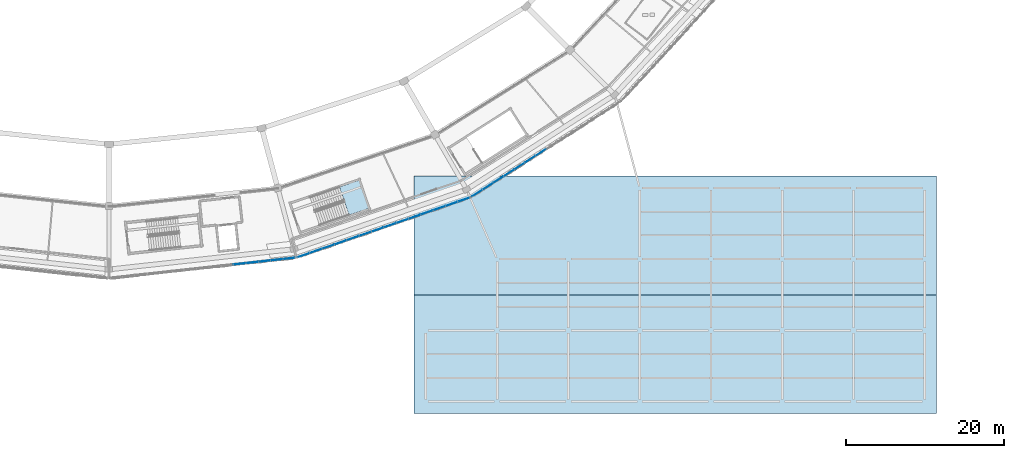
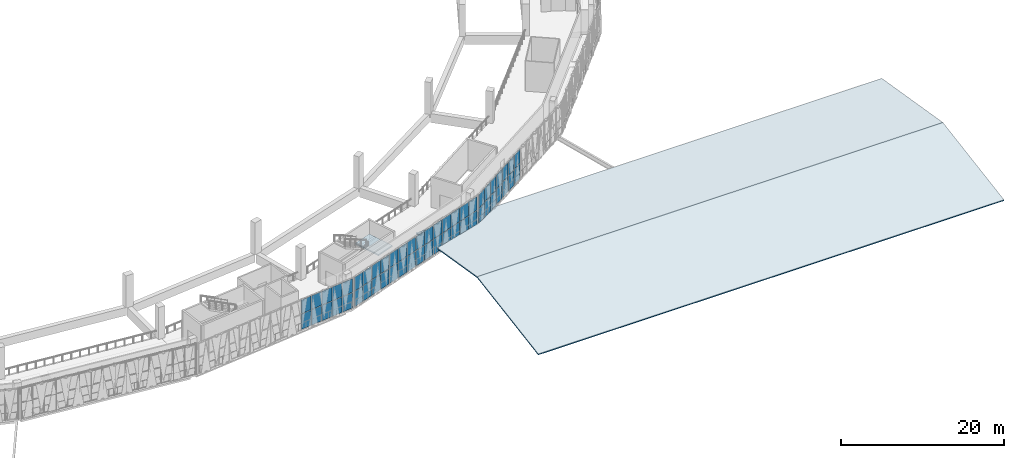
# One storey, part 55 of 108: 52 plates, 3 slabs, 4 elements without a shape of their own.
"""IFC4 building model written with IfcOpenShell, lengths in metres."""

from ifc_helpers import new_model, si_unit, direction, frame, origin, origin_2d, place, context, subcontext, project, spatial, polyline, rectangle, outline, extrude, material, layer, layer_set, type_object, element, aggregate, save


model = new_model("IFC4")

# Units and contexts
model_context = context("Model", 3, precision=1e-05, world=origin(), true_north=direction((0.0, 1.0)))
body_context = subcontext(model_context, "Body", "Model", "MODEL_VIEW")
ifc_project = project(units=[si_unit("LENGTHUNIT", "METRE"), si_unit("AREAUNIT", "SQUARE_METRE"), si_unit("VOLUMEUNIT", "CUBIC_METRE"), si_unit("PLANEANGLEUNIT", "RADIAN"), si_unit("MASSUNIT", "GRAM", prefix="KILO")], contexts=[model_context])

# Site, building, storey
site_placement = place(None, origin())
site = spatial("IfcSite", under=ifc_project, at=site_placement, CompositionType="ELEMENT")
building_placement = place(site_placement, origin())
building = spatial("IfcBuilding", under=site, at=building_placement, Name="Zevraka Park Crest Stadium", CompositionType="ELEMENT")
storey_placement = place(building_placement, frame((0.0, 0.0, 19.800048828125)))
storey = spatial("IfcBuildingStorey", under=building, at=storey_placement, Name="L04", CompositionType="ELEMENT", Elevation=19.800048828125)

# Curtain wall, plates
ifc_material_1 = material(Name="Anodised architectural aluminium and laminated safety glass", Category="aluminium")
curtain_wall_type_1 = type_object("IfcCurtainWallType", Name="CW16", PredefinedType="NOTDEFINED", material=ifc_material_1)
curtain_wall_1_placement = place(storey_placement, origin())
curtain_wall_1 = element("IfcCurtainWall", 1, at=curtain_wall_1_placement, inside=storey, type_object=curtain_wall_type_1, Name="Unitised Ring Curtain Wall CW16 L04-18", PredefinedType="NOTDEFINED")
ifc_material_2 = material(Name="Solar-control laminated double glazing", Category="glass")
ifc_layer_1 = layer(ifc_material_2, 0.031982421875)
ifc_layer_set_1 = layer_set([ifc_layer_1], Name="Solar-control laminated double glazing")
plate_type_1 = type_object("IfcPlateType", Name="CP16", PredefinedType="CURTAIN_PANEL", material=ifc_layer_set_1)
plate_1_placement = place(storey_placement, frame((128.5126953125, 17.398193359375, 0.059814453125), z_axis=(0.0, 0.0, 1.0), x_axis=(0.993997152844, 0.109405941967, 0.0)))
plate_1 = element("IfcPlate", 2, at=plate_1_placement, type_object=plate_type_1, Name="CW16 panel 11.1", PredefinedType="CURTAIN_PANEL", context=body_context, shape_type="SweptSolid", body=[
    extrude(rectangle(XDim=1.509765625, YDim=0.031982421875, at=origin_2d()), origin(), (0.0, 0.0, 1.0), 2.31005859375),
])
plate_2_placement = place(storey_placement, frame((128.5126953125, 17.398193359375, 2.4296875), z_axis=(0.0, 0.0, 1.0), x_axis=(0.993997152844, 0.109405941967, 0.0)))
plate_2 = element("IfcPlate", 3, at=plate_2_placement, type_object=plate_type_1, Name="CW16 panel 11.2", PredefinedType="CURTAIN_PANEL", context=body_context, shape_type="SweptSolid", body=[
    extrude(rectangle(XDim=1.509765625, YDim=0.031982421875, at=origin_2d()), origin(), (0.0, 0.0, 1.0), 2.050048828125),
])
plate_3_placement = place(storey_placement, frame((130.072998046875, 17.56982421875, 0.059814453125), z_axis=(0.0, 0.0, 1.0), x_axis=(0.993997152844, 0.109405941967, 0.0)))
plate_3 = element("IfcPlate", 4, at=plate_3_placement, type_object=plate_type_1, Name="CW16 panel 12.1", PredefinedType="CURTAIN_PANEL", context=body_context, shape_type="SweptSolid", body=[
    extrude(rectangle(XDim=1.509765625, YDim=0.031982421875, at=origin_2d()), origin(), (0.0, 0.0, 1.0), 2.31005859375),
])
plate_4_placement = place(storey_placement, frame((130.072998046875, 17.56982421875, 2.4296875), z_axis=(0.0, 0.0, 1.0), x_axis=(0.993997152844, 0.109405941967, 0.0)))
plate_4 = element("IfcPlate", 5, at=plate_4_placement, type_object=plate_type_1, Name="CW16 panel 12.2", PredefinedType="CURTAIN_PANEL", context=body_context, shape_type="SweptSolid", body=[
    extrude(rectangle(XDim=1.509765625, YDim=0.031982421875, at=origin_2d()), origin(), (0.0, 0.0, 1.0), 2.050048828125),
])
plate_5_placement = place(storey_placement, frame((131.63330078125, 17.74169921875, 0.059814453125), z_axis=(0.0, 0.0, 1.0), x_axis=(0.993997152844, 0.109405941967, 0.0)))
plate_5 = element("IfcPlate", 6, at=plate_5_placement, type_object=plate_type_1, Name="CW16 panel 13.1", PredefinedType="CURTAIN_PANEL", context=body_context, shape_type="SweptSolid", body=[
    extrude(rectangle(XDim=1.509765625, YDim=0.031982421875, at=origin_2d()), origin(), (0.0, 0.0, 1.0), 2.31005859375),
])
plate_6_placement = place(storey_placement, frame((131.63330078125, 17.74169921875, 2.4296875), z_axis=(0.0, 0.0, 1.0), x_axis=(0.993997152844, 0.109405941967, 0.0)))
plate_6 = element("IfcPlate", 7, at=plate_6_placement, type_object=plate_type_1, Name="CW16 panel 13.2", PredefinedType="CURTAIN_PANEL", context=body_context, shape_type="SweptSolid", body=[
    extrude(rectangle(XDim=1.509765625, YDim=0.031982421875, at=origin_2d()), origin(), (0.0, 0.0, 1.0), 2.050048828125),
])
plate_7_placement = place(storey_placement, frame((133.193603515625, 17.913330078125, 0.059814453125), z_axis=(0.0, 0.0, 1.0), x_axis=(0.993997152844, 0.109405941967, 0.0)))
plate_7 = element("IfcPlate", 8, at=plate_7_placement, type_object=plate_type_1, Name="CW16 panel 14.1", PredefinedType="CURTAIN_PANEL", context=body_context, shape_type="SweptSolid", body=[
    extrude(rectangle(XDim=1.509765625, YDim=0.031982421875, at=origin_2d()), origin(), (0.0, 0.0, 1.0), 2.31005859375),
])
plate_8_placement = place(storey_placement, frame((133.193603515625, 17.913330078125, 2.4296875), z_axis=(0.0, 0.0, 1.0), x_axis=(0.993997152844, 0.109405941967, 0.0)))
plate_8 = element("IfcPlate", 9, at=plate_8_placement, type_object=plate_type_1, Name="CW16 panel 14.2", PredefinedType="CURTAIN_PANEL", context=body_context, shape_type="SweptSolid", body=[
    extrude(rectangle(XDim=1.509765625, YDim=0.031982421875, at=origin_2d()), origin(), (0.0, 0.0, 1.0), 2.050048828125),
])
plate_9_placement = place(storey_placement, frame((134.739013671875, 18.08349609375, 0.059814453125), z_axis=(0.0, 0.0, 1.0), x_axis=(0.993997152844, 0.109405941967, 0.0)))
plate_9 = element("IfcPlate", 10, at=plate_9_placement, type_object=plate_type_1, Name="CW16 panel 15.1", PredefinedType="CURTAIN_PANEL", context=body_context, shape_type="SweptSolid", body=[
    extrude(rectangle(XDim=1.479736328125, YDim=0.031982421875, at=origin_2d()), origin(), (0.0, 0.0, 1.0), 2.31005859375),
])
plate_10_placement = place(storey_placement, frame((134.739013671875, 18.08349609375, 2.4296875), z_axis=(0.0, 0.0, 1.0), x_axis=(0.993997152844, 0.109405941967, 0.0)))
plate_10 = element("IfcPlate", 11, at=plate_10_placement, type_object=plate_type_1, Name="CW16 panel 15.2", PredefinedType="CURTAIN_PANEL", context=body_context, shape_type="SweptSolid", body=[
    extrude(rectangle(XDim=1.479736328125, YDim=0.031982421875, at=origin_2d()), origin(), (0.0, 0.0, 1.0), 2.050048828125),
])
aggregate(curtain_wall_1, [plate_1, plate_2, plate_3, plate_4, plate_5, plate_6, plate_7, plate_8, plate_9, plate_10])

ifc_material_3 = material(Name="Anodised architectural aluminium and laminated safety glass", Category="aluminium")
curtain_wall_type_2 = type_object("IfcCurtainWallType", Name="CW17", PredefinedType="NOTDEFINED", material=ifc_material_3)
curtain_wall_2_placement = place(storey_placement, origin())
curtain_wall_2 = element("IfcCurtainWall", 12, at=curtain_wall_2_placement, inside=storey, type_object=curtain_wall_type_2, Name="Unitised Ring Curtain Wall CW17 L04-19", PredefinedType="NOTDEFINED")
ifc_material_4 = material(Name="Solar-control laminated double glazing", Category="glass")
ifc_layer_2 = layer(ifc_material_4, 0.031982421875)
ifc_layer_set_2 = layer_set([ifc_layer_2], Name="Solar-control laminated double glazing")
plate_type_2 = type_object("IfcPlateType", Name="CP17", PredefinedType="CURTAIN_PANEL", material=ifc_layer_set_2)
plate_11_placement = place(storey_placement, frame((136.58203125, 18.5029296875, 0.06494140625), z_axis=(0.0, 0.0, 1.0), x_axis=(0.944939691816, 0.327244524523, 0.0)))
plate_11 = element("IfcPlate", 13, at=plate_11_placement, type_object=plate_type_2, Name="CW17 panel 1.1", PredefinedType="CURTAIN_PANEL", context=body_context, shape_type="SweptSolid", body=[
    extrude(rectangle(XDim=1.55078125, YDim=0.031982421875, at=origin_2d()), origin(), (0.0, 0.0, 1.0), 2.302490234375),
])
plate_12_placement = place(storey_placement, frame((136.58203125, 18.5029296875, 2.432373046875), z_axis=(0.0, 0.0, 1.0), x_axis=(0.944939691816, 0.327244524523, 0.0)))
plate_12 = element("IfcPlate", 14, at=plate_12_placement, type_object=plate_type_2, Name="CW17 panel 1.2", PredefinedType="CURTAIN_PANEL", context=body_context, shape_type="SweptSolid", body=[
    extrude(rectangle(XDim=1.55078125, YDim=0.031982421875, at=origin_2d()), origin(), (0.0, 0.0, 1.0), 2.04248046875),
])
plate_13_placement = place(storey_placement, frame((138.1240234375, 19.037109375, 0.06494140625), z_axis=(0.0, 0.0, 1.0), x_axis=(0.944939691816, 0.327244524523, 0.0)))
plate_13 = element("IfcPlate", 15, at=plate_13_placement, type_object=plate_type_2, Name="CW17 panel 2.1", PredefinedType="CURTAIN_PANEL", context=body_context, shape_type="SweptSolid", body=[
    extrude(rectangle(XDim=1.583251953125, YDim=0.031982421875, at=origin_2d()), origin(), (0.0, 0.0, 1.0), 2.302490234375),
])
plate_14_placement = place(storey_placement, frame((138.1240234375, 19.037109375, 2.432373046875), z_axis=(0.0, 0.0, 1.0), x_axis=(0.944939691816, 0.327244524523, 0.0)))
plate_14 = element("IfcPlate", 16, at=plate_14_placement, type_object=plate_type_2, Name="CW17 panel 2.2", PredefinedType="CURTAIN_PANEL", context=body_context, shape_type="SweptSolid", body=[
    extrude(rectangle(XDim=1.583251953125, YDim=0.031982421875, at=origin_2d()), origin(), (0.0, 0.0, 1.0), 2.04248046875),
])
plate_15_placement = place(storey_placement, frame((139.681640625, 19.576416015625, 0.06494140625), z_axis=(0.0, 0.0, 1.0), x_axis=(0.944939691816, 0.327244524523, 0.0)))
plate_15 = element("IfcPlate", 17, at=plate_15_placement, type_object=plate_type_2, Name="CW17 panel 3.1", PredefinedType="CURTAIN_PANEL", context=body_context, shape_type="SweptSolid", body=[
    extrude(rectangle(XDim=1.583251953125, YDim=0.031982421875, at=origin_2d()), origin(), (0.0, 0.0, 1.0), 2.302490234375),
])
plate_16_placement = place(storey_placement, frame((139.681640625, 19.576416015625, 2.432373046875), z_axis=(0.0, 0.0, 1.0), x_axis=(0.944939691816, 0.327244524523, 0.0)))
plate_16 = element("IfcPlate", 18, at=plate_16_placement, type_object=plate_type_2, Name="CW17 panel 3.2", PredefinedType="CURTAIN_PANEL", context=body_context, shape_type="SweptSolid", body=[
    extrude(rectangle(XDim=1.583251953125, YDim=0.031982421875, at=origin_2d()), origin(), (0.0, 0.0, 1.0), 2.04248046875),
])
plate_17_placement = place(storey_placement, frame((141.239013671875, 20.11572265625, 0.06494140625), z_axis=(0.0, 0.0, 1.0), x_axis=(0.944939691816, 0.327244524523, 0.0)))
plate_17 = element("IfcPlate", 19, at=plate_17_placement, type_object=plate_type_2, Name="CW17 panel 4.1", PredefinedType="CURTAIN_PANEL", context=body_context, shape_type="SweptSolid", body=[
    extrude(rectangle(XDim=1.583251953125, YDim=0.031982421875, at=origin_2d()), origin(), (0.0, 0.0, 1.0), 2.302490234375),
])
plate_18_placement = place(storey_placement, frame((141.239013671875, 20.11572265625, 2.432373046875), z_axis=(0.0, 0.0, 1.0), x_axis=(0.944939691816, 0.327244524523, 0.0)))
plate_18 = element("IfcPlate", 20, at=plate_18_placement, type_object=plate_type_2, Name="CW17 panel 4.2", PredefinedType="CURTAIN_PANEL", context=body_context, shape_type="SweptSolid", body=[
    extrude(rectangle(XDim=1.583251953125, YDim=0.031982421875, at=origin_2d()), origin(), (0.0, 0.0, 1.0), 2.04248046875),
])
plate_19_placement = place(storey_placement, frame((142.79638671875, 20.655029296875, 0.06494140625), z_axis=(0.0, 0.0, 1.0), x_axis=(0.944939691816, 0.327244524523, 0.0)))
plate_19 = element("IfcPlate", 21, at=plate_19_placement, type_object=plate_type_2, Name="CW17 panel 5.1", PredefinedType="CURTAIN_PANEL", context=body_context, shape_type="SweptSolid", body=[
    extrude(rectangle(XDim=1.583251953125, YDim=0.031982421875, at=origin_2d()), origin(), (0.0, 0.0, 1.0), 2.302490234375),
])
plate_20_placement = place(storey_placement, frame((142.79638671875, 20.655029296875, 2.432373046875), z_axis=(0.0, 0.0, 1.0), x_axis=(0.944939691816, 0.327244524523, 0.0)))
plate_20 = element("IfcPlate", 22, at=plate_20_placement, type_object=plate_type_2, Name="CW17 panel 5.2", PredefinedType="CURTAIN_PANEL", context=body_context, shape_type="SweptSolid", body=[
    extrude(rectangle(XDim=1.583251953125, YDim=0.031982421875, at=origin_2d()), origin(), (0.0, 0.0, 1.0), 2.04248046875),
])
plate_21_placement = place(storey_placement, frame((144.353759765625, 21.194580078125, 0.06494140625), z_axis=(0.0, 0.0, 1.0), x_axis=(0.944939691816, 0.327244524523, 0.0)))
plate_21 = element("IfcPlate", 23, at=plate_21_placement, type_object=plate_type_2, Name="CW17 panel 6.1", PredefinedType="CURTAIN_PANEL", context=body_context, shape_type="SweptSolid", body=[
    extrude(rectangle(XDim=1.583251953125, YDim=0.031982421875, at=origin_2d()), origin(), (0.0, 0.0, 1.0), 2.302490234375),
])
plate_22_placement = place(storey_placement, frame((144.353759765625, 21.194580078125, 2.432373046875), z_axis=(0.0, 0.0, 1.0), x_axis=(0.944939691816, 0.327244524523, 0.0)))
plate_22 = element("IfcPlate", 24, at=plate_22_placement, type_object=plate_type_2, Name="CW17 panel 6.2", PredefinedType="CURTAIN_PANEL", context=body_context, shape_type="SweptSolid", body=[
    extrude(rectangle(XDim=1.583251953125, YDim=0.031982421875, at=origin_2d()), origin(), (0.0, 0.0, 1.0), 2.04248046875),
])
plate_23_placement = place(storey_placement, frame((145.911376953125, 21.73388671875, 0.06494140625), z_axis=(0.0, 0.0, 1.0), x_axis=(0.944939691816, 0.327244524523, 0.0)))
plate_23 = element("IfcPlate", 25, at=plate_23_placement, type_object=plate_type_2, Name="CW17 panel 7.1", PredefinedType="CURTAIN_PANEL", context=body_context, shape_type="SweptSolid", body=[
    extrude(rectangle(XDim=1.583251953125, YDim=0.031982421875, at=origin_2d()), origin(), (0.0, 0.0, 1.0), 2.302490234375),
])
plate_24_placement = place(storey_placement, frame((145.911376953125, 21.73388671875, 2.432373046875), z_axis=(0.0, 0.0, 1.0), x_axis=(0.944939691816, 0.327244524523, 0.0)))
plate_24 = element("IfcPlate", 26, at=plate_24_placement, type_object=plate_type_2, Name="CW17 panel 7.2", PredefinedType="CURTAIN_PANEL", context=body_context, shape_type="SweptSolid", body=[
    extrude(rectangle(XDim=1.583251953125, YDim=0.031982421875, at=origin_2d()), origin(), (0.0, 0.0, 1.0), 2.04248046875),
])
plate_25_placement = place(storey_placement, frame((147.46875, 22.273193359375, 0.06494140625), z_axis=(0.0, 0.0, 1.0), x_axis=(0.944939691816, 0.327244524523, 0.0)))
plate_25 = element("IfcPlate", 27, at=plate_25_placement, type_object=plate_type_2, Name="CW17 panel 8.1", PredefinedType="CURTAIN_PANEL", context=body_context, shape_type="SweptSolid", body=[
    extrude(rectangle(XDim=1.583251953125, YDim=0.031982421875, at=origin_2d()), origin(), (0.0, 0.0, 1.0), 2.302490234375),
])
plate_26_placement = place(storey_placement, frame((147.46875, 22.273193359375, 2.432373046875), z_axis=(0.0, 0.0, 1.0), x_axis=(0.944939691816, 0.327244524523, 0.0)))
plate_26 = element("IfcPlate", 28, at=plate_26_placement, type_object=plate_type_2, Name="CW17 panel 8.2", PredefinedType="CURTAIN_PANEL", context=body_context, shape_type="SweptSolid", body=[
    extrude(rectangle(XDim=1.583251953125, YDim=0.031982421875, at=origin_2d()), origin(), (0.0, 0.0, 1.0), 2.04248046875),
])
plate_27_placement = place(storey_placement, frame((149.026123046875, 22.8125, 0.06494140625), z_axis=(0.0, 0.0, 1.0), x_axis=(0.944939691816, 0.327244524523, 0.0)))
plate_27 = element("IfcPlate", 29, at=plate_27_placement, type_object=plate_type_2, Name="CW17 panel 9.1", PredefinedType="CURTAIN_PANEL", context=body_context, shape_type="SweptSolid", body=[
    extrude(rectangle(XDim=1.583251953125, YDim=0.031982421875, at=origin_2d()), origin(), (0.0, 0.0, 1.0), 2.302490234375),
])
plate_28_placement = place(storey_placement, frame((149.026123046875, 22.8125, 2.432373046875), z_axis=(0.0, 0.0, 1.0), x_axis=(0.944939691816, 0.327244524523, 0.0)))
plate_28 = element("IfcPlate", 30, at=plate_28_placement, type_object=plate_type_2, Name="CW17 panel 9.2", PredefinedType="CURTAIN_PANEL", context=body_context, shape_type="SweptSolid", body=[
    extrude(rectangle(XDim=1.583251953125, YDim=0.031982421875, at=origin_2d()), origin(), (0.0, 0.0, 1.0), 2.04248046875),
])
plate_29_placement = place(storey_placement, frame((150.58349609375, 23.351806640625, 0.06494140625), z_axis=(0.0, 0.0, 1.0), x_axis=(0.944939691816, 0.327244524523, 0.0)))
plate_29 = element("IfcPlate", 31, at=plate_29_placement, type_object=plate_type_2, Name="CW17 panel 10.1", PredefinedType="CURTAIN_PANEL", context=body_context, shape_type="SweptSolid", body=[
    extrude(rectangle(XDim=1.583251953125, YDim=0.031982421875, at=origin_2d()), origin(), (0.0, 0.0, 1.0), 2.302490234375),
])
plate_30_placement = place(storey_placement, frame((150.58349609375, 23.351806640625, 2.432373046875), z_axis=(0.0, 0.0, 1.0), x_axis=(0.944939691816, 0.327244524523, 0.0)))
plate_30 = element("IfcPlate", 32, at=plate_30_placement, type_object=plate_type_2, Name="CW17 panel 10.2", PredefinedType="CURTAIN_PANEL", context=body_context, shape_type="SweptSolid", body=[
    extrude(rectangle(XDim=1.583251953125, YDim=0.031982421875, at=origin_2d()), origin(), (0.0, 0.0, 1.0), 2.04248046875),
])
plate_31_placement = place(storey_placement, frame((152.14111328125, 23.891357421875, 0.06494140625), z_axis=(0.0, 0.0, 1.0), x_axis=(0.944939691816, 0.327244524523, 0.0)))
plate_31 = element("IfcPlate", 33, at=plate_31_placement, type_object=plate_type_2, Name="CW17 panel 11.1", PredefinedType="CURTAIN_PANEL", context=body_context, shape_type="SweptSolid", body=[
    extrude(rectangle(XDim=1.583251953125, YDim=0.031982421875, at=origin_2d()), origin(), (0.0, 0.0, 1.0), 2.302490234375),
])
plate_32_placement = place(storey_placement, frame((152.14111328125, 23.891357421875, 2.432373046875), z_axis=(0.0, 0.0, 1.0), x_axis=(0.944939691816, 0.327244524523, 0.0)))
plate_32 = element("IfcPlate", 34, at=plate_32_placement, type_object=plate_type_2, Name="CW17 panel 11.2", PredefinedType="CURTAIN_PANEL", context=body_context, shape_type="SweptSolid", body=[
    extrude(rectangle(XDim=1.583251953125, YDim=0.031982421875, at=origin_2d()), origin(), (0.0, 0.0, 1.0), 2.04248046875),
])
plate_33_placement = place(storey_placement, frame((153.698486328125, 24.4306640625, 0.06494140625), z_axis=(0.0, 0.0, 1.0), x_axis=(0.944939691816, 0.327244524523, 0.0)))
plate_33 = element("IfcPlate", 35, at=plate_33_placement, type_object=plate_type_2, Name="CW17 panel 12.1", PredefinedType="CURTAIN_PANEL", context=body_context, shape_type="SweptSolid", body=[
    extrude(rectangle(XDim=1.583251953125, YDim=0.031982421875, at=origin_2d()), origin(), (0.0, 0.0, 1.0), 2.302490234375),
])
plate_34_placement = place(storey_placement, frame((153.698486328125, 24.4306640625, 2.432373046875), z_axis=(0.0, 0.0, 1.0), x_axis=(0.944939691816, 0.327244524523, 0.0)))
plate_34 = element("IfcPlate", 36, at=plate_34_placement, type_object=plate_type_2, Name="CW17 panel 12.2", PredefinedType="CURTAIN_PANEL", context=body_context, shape_type="SweptSolid", body=[
    extrude(rectangle(XDim=1.583251953125, YDim=0.031982421875, at=origin_2d()), origin(), (0.0, 0.0, 1.0), 2.04248046875),
])
plate_35_placement = place(storey_placement, frame((155.255859375, 24.969970703125, 0.06494140625), z_axis=(0.0, 0.0, 1.0), x_axis=(0.944939691816, 0.327244524523, 0.0)))
plate_35 = element("IfcPlate", 37, at=plate_35_placement, type_object=plate_type_2, Name="CW17 panel 13.1", PredefinedType="CURTAIN_PANEL", context=body_context, shape_type="SweptSolid", body=[
    extrude(rectangle(XDim=1.583251953125, YDim=0.031982421875, at=origin_2d()), origin(), (0.0, 0.0, 1.0), 2.302490234375),
])
plate_36_placement = place(storey_placement, frame((155.255859375, 24.969970703125, 2.432373046875), z_axis=(0.0, 0.0, 1.0), x_axis=(0.944939691816, 0.327244524523, 0.0)))
plate_36 = element("IfcPlate", 38, at=plate_36_placement, type_object=plate_type_2, Name="CW17 panel 13.2", PredefinedType="CURTAIN_PANEL", context=body_context, shape_type="SweptSolid", body=[
    extrude(rectangle(XDim=1.583251953125, YDim=0.031982421875, at=origin_2d()), origin(), (0.0, 0.0, 1.0), 2.04248046875),
])
plate_37_placement = place(storey_placement, frame((156.7978515625, 25.50390625, 0.06494140625), z_axis=(0.0, 0.0, 1.0), x_axis=(0.944939691816, 0.327244524523, 0.0)))
plate_37 = element("IfcPlate", 39, at=plate_37_placement, type_object=plate_type_2, Name="CW17 panel 14.1", PredefinedType="CURTAIN_PANEL", context=body_context, shape_type="SweptSolid", body=[
    extrude(rectangle(XDim=1.55078125, YDim=0.031982421875, at=origin_2d()), origin(), (0.0, 0.0, 1.0), 2.302490234375),
])
plate_38_placement = place(storey_placement, frame((156.7978515625, 25.50390625, 2.432373046875), z_axis=(0.0, 0.0, 1.0), x_axis=(0.944939691816, 0.327244524523, 0.0)))
plate_38 = element("IfcPlate", 40, at=plate_38_placement, type_object=plate_type_2, Name="CW17 panel 14.2", PredefinedType="CURTAIN_PANEL", context=body_context, shape_type="SweptSolid", body=[
    extrude(rectangle(XDim=1.55078125, YDim=0.031982421875, at=origin_2d()), origin(), (0.0, 0.0, 1.0), 2.04248046875),
])
aggregate(curtain_wall_2, [plate_11, plate_12, plate_13, plate_14, plate_15, plate_16, plate_17, plate_18, plate_19, plate_20, plate_21, plate_22, plate_23, plate_24, plate_25, plate_26, plate_27, plate_28, plate_29, plate_30, plate_31, plate_32, plate_33, plate_34, plate_35, plate_36, plate_37, plate_38])

ifc_material_5 = material(Name="Anodised architectural aluminium and laminated safety glass", Category="aluminium")
curtain_wall_type_3 = type_object("IfcCurtainWallType", Name="CW18", PredefinedType="NOTDEFINED", material=ifc_material_5)
curtain_wall_3_placement = place(storey_placement, origin())
curtain_wall_3 = element("IfcCurtainWall", 41, at=curtain_wall_3_placement, inside=storey, type_object=curtain_wall_type_3, Name="Unitised Ring Curtain Wall CW18 L04-20", PredefinedType="NOTDEFINED")
ifc_material_6 = material(Name="Solar-control laminated double glazing", Category="glass")
ifc_layer_3 = layer(ifc_material_6, 0.031982421875)
ifc_layer_set_3 = layer_set([ifc_layer_3], Name="Solar-control laminated double glazing")
plate_type_3 = type_object("IfcPlateType", Name="CP18", PredefinedType="CURTAIN_PANEL", material=ifc_layer_set_3)
plate_39_placement = place(storey_placement, frame((158.508056640625, 26.330322265625, 0.070068359375), z_axis=(0.0, 0.0, 1.0), x_axis=(0.841677883781, 0.539979944029, 0.0)))
plate_39 = element("IfcPlate", 42, at=plate_39_placement, type_object=plate_type_3, Name="CW18 panel 1.1", PredefinedType="CURTAIN_PANEL", context=body_context, shape_type="SweptSolid", body=[
    extrude(rectangle(XDim=1.483154296875, YDim=0.031982421875, at=origin_2d()), origin(), (0.0, 0.0, 1.0), 2.294921875),
])
plate_40_placement = place(storey_placement, frame((158.508056640625, 26.330322265625, 2.43505859375), z_axis=(0.0, 0.0, 1.0), x_axis=(0.841677883781, 0.539979944029, 0.0)))
plate_40 = element("IfcPlate", 43, at=plate_40_placement, type_object=plate_type_3, Name="CW18 panel 1.2", PredefinedType="CURTAIN_PANEL", context=body_context, shape_type="SweptSolid", body=[
    extrude(rectangle(XDim=1.483154296875, YDim=0.031982421875, at=origin_2d()), origin(), (0.0, 0.0, 1.0), 2.034912109375),
])
plate_41_placement = place(storey_placement, frame((159.830078125, 27.178466796875, 0.070068359375), z_axis=(0.0, 0.0, 1.0), x_axis=(0.841677883781, 0.539979944029, 0.0)))
plate_41 = element("IfcPlate", 44, at=plate_41_placement, type_object=plate_type_3, Name="CW18 panel 2.1", PredefinedType="CURTAIN_PANEL", context=body_context, shape_type="SweptSolid", body=[
    extrude(rectangle(XDim=1.51806640625, YDim=0.031982421875, at=origin_2d()), origin(), (0.0, 0.0, 1.0), 2.294921875),
])
plate_42_placement = place(storey_placement, frame((159.830078125, 27.178466796875, 2.43505859375), z_axis=(0.0, 0.0, 1.0), x_axis=(0.841677883781, 0.539979944029, 0.0)))
plate_42 = element("IfcPlate", 45, at=plate_42_placement, type_object=plate_type_3, Name="CW18 panel 2.2", PredefinedType="CURTAIN_PANEL", context=body_context, shape_type="SweptSolid", body=[
    extrude(rectangle(XDim=1.51806640625, YDim=0.031982421875, at=origin_2d()), origin(), (0.0, 0.0, 1.0), 2.034912109375),
])
plate_43_placement = place(storey_placement, frame((161.166748046875, 28.035888671875, 0.070068359375), z_axis=(0.0, 0.0, 1.0), x_axis=(0.841677883781, 0.539979944029, 0.0)))
plate_43 = element("IfcPlate", 46, at=plate_43_placement, type_object=plate_type_3, Name="CW18 panel 3.1", PredefinedType="CURTAIN_PANEL", context=body_context, shape_type="SweptSolid", body=[
    extrude(rectangle(XDim=1.51806640625, YDim=0.031982421875, at=origin_2d()), origin(), (0.0, 0.0, 1.0), 2.294921875),
])
plate_44_placement = place(storey_placement, frame((161.166748046875, 28.035888671875, 2.43505859375), z_axis=(0.0, 0.0, 1.0), x_axis=(0.841677883781, 0.539979944029, 0.0)))
plate_44 = element("IfcPlate", 47, at=plate_44_placement, type_object=plate_type_3, Name="CW18 panel 3.2", PredefinedType="CURTAIN_PANEL", context=body_context, shape_type="SweptSolid", body=[
    extrude(rectangle(XDim=1.51806640625, YDim=0.031982421875, at=origin_2d()), origin(), (0.0, 0.0, 1.0), 2.034912109375),
])
plate_45_placement = place(storey_placement, frame((162.50341796875, 28.8935546875, 0.070068359375), z_axis=(0.0, 0.0, 1.0), x_axis=(0.841677883781, 0.539979944029, 0.0)))
plate_45 = element("IfcPlate", 48, at=plate_45_placement, type_object=plate_type_3, Name="CW18 panel 4.1", PredefinedType="CURTAIN_PANEL", context=body_context, shape_type="SweptSolid", body=[
    extrude(rectangle(XDim=1.51806640625, YDim=0.031982421875, at=origin_2d()), origin(), (0.0, 0.0, 1.0), 2.294921875),
])
plate_46_placement = place(storey_placement, frame((162.50341796875, 28.8935546875, 2.43505859375), z_axis=(0.0, 0.0, 1.0), x_axis=(0.841677883781, 0.539979944029, 0.0)))
plate_46 = element("IfcPlate", 49, at=plate_46_placement, type_object=plate_type_3, Name="CW18 panel 4.2", PredefinedType="CURTAIN_PANEL", context=body_context, shape_type="SweptSolid", body=[
    extrude(rectangle(XDim=1.51806640625, YDim=0.031982421875, at=origin_2d()), origin(), (0.0, 0.0, 1.0), 2.034912109375),
])
plate_47_placement = place(storey_placement, frame((163.84033203125, 29.7509765625, 0.070068359375), z_axis=(0.0, 0.0, 1.0), x_axis=(0.841677883781, 0.539979944029, 0.0)))
plate_47 = element("IfcPlate", 50, at=plate_47_placement, type_object=plate_type_3, Name="CW18 panel 5.1", PredefinedType="CURTAIN_PANEL", context=body_context, shape_type="SweptSolid", body=[
    extrude(rectangle(XDim=1.51806640625, YDim=0.031982421875, at=origin_2d()), origin(), (0.0, 0.0, 1.0), 2.294921875),
])
plate_48_placement = place(storey_placement, frame((163.84033203125, 29.7509765625, 2.43505859375), z_axis=(0.0, 0.0, 1.0), x_axis=(0.841677883781, 0.539979944029, 0.0)))
plate_48 = element("IfcPlate", 51, at=plate_48_placement, type_object=plate_type_3, Name="CW18 panel 5.2", PredefinedType="CURTAIN_PANEL", context=body_context, shape_type="SweptSolid", body=[
    extrude(rectangle(XDim=1.51806640625, YDim=0.031982421875, at=origin_2d()), origin(), (0.0, 0.0, 1.0), 2.034912109375),
])
plate_49_placement = place(storey_placement, frame((165.177001953125, 30.608642578125, 0.070068359375), z_axis=(0.0, 0.0, 1.0), x_axis=(0.841677883781, 0.539979944029, 0.0)))
plate_49 = element("IfcPlate", 52, at=plate_49_placement, type_object=plate_type_3, Name="CW18 panel 6.1", PredefinedType="CURTAIN_PANEL", context=body_context, shape_type="SweptSolid", body=[
    extrude(rectangle(XDim=1.51806640625, YDim=0.031982421875, at=origin_2d()), origin(), (0.0, 0.0, 1.0), 2.294921875),
])
plate_50_placement = place(storey_placement, frame((165.177001953125, 30.608642578125, 2.43505859375), z_axis=(0.0, 0.0, 1.0), x_axis=(0.841677883781, 0.539979944029, 0.0)))
plate_50 = element("IfcPlate", 53, at=plate_50_placement, type_object=plate_type_3, Name="CW18 panel 6.2", PredefinedType="CURTAIN_PANEL", context=body_context, shape_type="SweptSolid", body=[
    extrude(rectangle(XDim=1.51806640625, YDim=0.031982421875, at=origin_2d()), origin(), (0.0, 0.0, 1.0), 2.034912109375),
])
plate_51_placement = place(storey_placement, frame((166.513671875, 31.46630859375, 0.070068359375), z_axis=(0.0, 0.0, 1.0), x_axis=(0.841677883781, 0.539979944029, 0.0)))
plate_51 = element("IfcPlate", 54, at=plate_51_placement, type_object=plate_type_3, Name="CW18 panel 7.1", PredefinedType="CURTAIN_PANEL", context=body_context, shape_type="SweptSolid", body=[
    extrude(rectangle(XDim=1.51806640625, YDim=0.031982421875, at=origin_2d()), origin(), (0.0, 0.0, 1.0), 2.294921875),
])
plate_52_placement = place(storey_placement, frame((166.513671875, 31.46630859375, 2.43505859375), z_axis=(0.0, 0.0, 1.0), x_axis=(0.841677883781, 0.539979944029, 0.0)))
plate_52 = element("IfcPlate", 55, at=plate_52_placement, type_object=plate_type_3, Name="CW18 panel 7.2", PredefinedType="CURTAIN_PANEL", context=body_context, shape_type="SweptSolid", body=[
    extrude(rectangle(XDim=1.51806640625, YDim=0.031982421875, at=origin_2d()), origin(), (0.0, 0.0, 1.0), 2.034912109375),
])
aggregate(curtain_wall_3, [plate_39, plate_40, plate_41, plate_42, plate_43, plate_44, plate_45, plate_46, plate_47, plate_48, plate_49, plate_50, plate_51, plate_52])

# Stair, slab
ifc_material_7 = material(Name="Concrete C35/45", Category="concrete")
stair_type = type_object("IfcStairType", Name="STA2", PredefinedType="HALF_TURN_STAIR", material=ifc_material_7)
stair_placement = place(storey_placement, origin())
stair = element("IfcStair", 56, at=stair_placement, inside=storey, type_object=stair_type, Name="L04 Protected Concourse Exit Stair ST20", PredefinedType="HALF_TURN_STAIR")
ifc_material_8 = material(Name="Concrete C35/45", Category="concrete")
ifc_layer_4 = layer(ifc_material_8, 0.199951171875)
ifc_layer_set_4 = layer_set([ifc_layer_4], Name="Concrete C35/45")
slab_type_1 = type_object("IfcSlabType", Name="LS01", PredefinedType="LANDING", material=ifc_layer_set_4)
slab_placement = place(storey_placement, frame((0.0, 0.0, 2.199951171875)))
slab = element("IfcSlab", 57, at=slab_placement, type_object=slab_type_1, Name="ST20 landing 1", PredefinedType="LANDING", context=body_context, shape_type="SweptSolid", body=[
    extrude(outline(polyline([(142.310546875, 23.557373046875), (144.77978515625, 24.403076171875), (143.561767578125, 27.960205078125), (141.092529296875, 27.114501953125), (142.310546875, 23.557373046875)])), origin(), (0.0, 0.0, 1.0), 0.199951171875),
])
aggregate(stair, [slab])

# Slabs
ifc_material_9 = material(Name="Concrete C35/45", Category="concrete")
ifc_layer_5 = layer(ifc_material_9, 0.159912109375)
ifc_layer_set_5 = layer_set([ifc_layer_5], Name="Concrete C35/45")
slab_type_2 = type_object("IfcSlabType", Name="RS02", PredefinedType="ROOF", material=ifc_layer_set_5)
for number, where, z_axis, x_axis, name in (
    (58, (150.5, -1.5, -0.179931640625), (0.0, -0.163117676609, 0.986606620481), (1.0, 0.0, 0.0), "Pitched Pavilion Roof Slab RS02 SE-PLINTH-ROOF-S"),
    (59, (216.5, 28.5, -0.179931640625), (0.0, 0.163117676609, 0.986606620481), (-1.0, 0.0, 0.0), "Pitched Pavilion Roof Slab RS02 SE-PLINTH-ROOF-N"),
):
    element("IfcSlab", number, at=place(storey_placement, frame(where, z_axis=z_axis, x_axis=x_axis)), inside=storey, type_object=slab_type_2, Name=name, PredefinedType="ROOF", context=body_context, shape_type="SweptSolid", body=[
        extrude(outline(polyline([(0.0, 0.0), (66.0, 0.0), (66.0, 15.203627959318837), (0.0, 15.203627959318837), (0.0, 0.0)])), origin(), (0.0, 0.0, -1.0), 0.159912109375),
    ])

save(model, "model.ifc")
